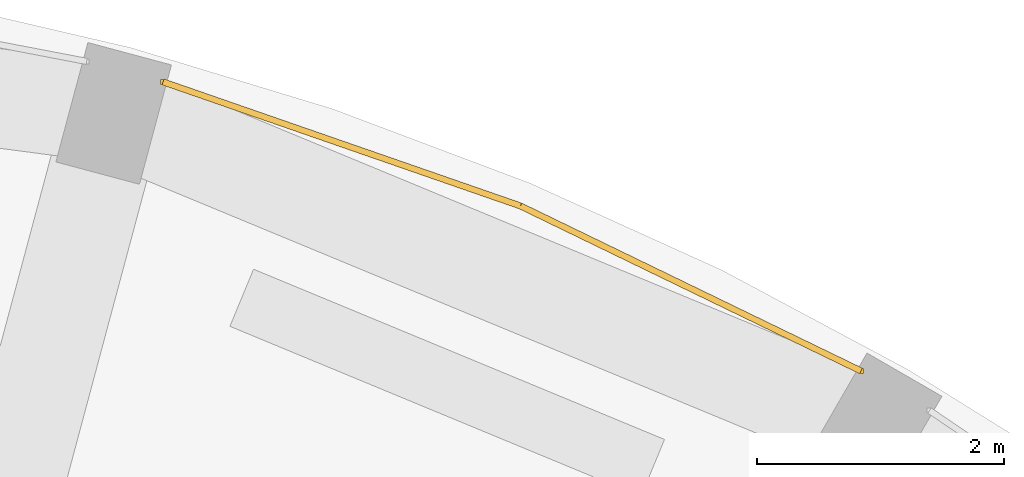
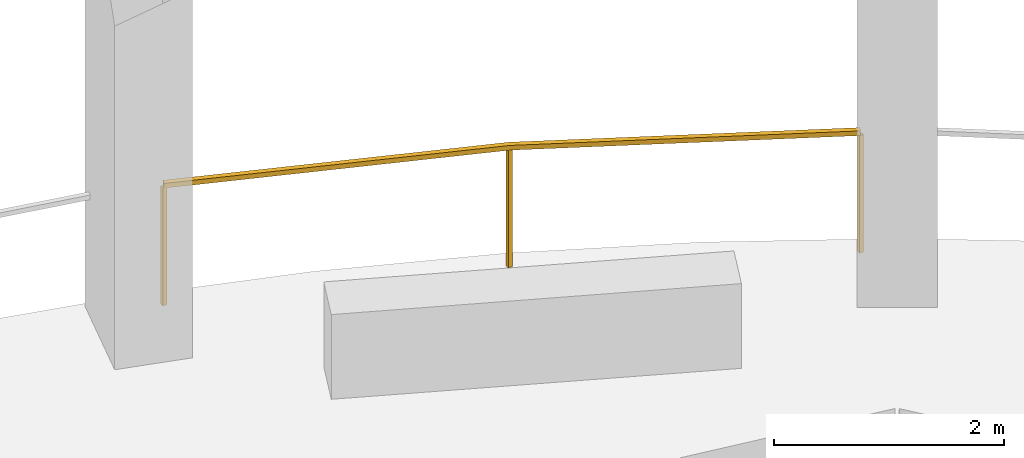
# One storey, part 8 of 8: 1 railing.
"""IFC4 building model written with IfcOpenShell, lengths in metres."""

from ifc_helpers import new_model, si_unit, direction, frame, origin, origin_2d, place, context, subcontext, project, spatial, rectangle, extrude, material, type_object, element, save


model = new_model("IFC4")

# Units and contexts
model_context = context("Model", 3, precision=1e-05, world=origin(), true_north=direction((0.0, 1.0)))
body_context = subcontext(model_context, "Body", "Model", "MODEL_VIEW")
ifc_project = project(units=[si_unit("LENGTHUNIT", "METRE"), si_unit("AREAUNIT", "SQUARE_METRE"), si_unit("VOLUMEUNIT", "CUBIC_METRE"), si_unit("PLANEANGLEUNIT", "RADIAN"), si_unit("MASSUNIT", "GRAM", prefix="KILO")], contexts=[model_context])

# Site, building, storey
site_placement = place(None, origin())
site = spatial("IfcSite", under=ifc_project, at=site_placement, CompositionType="ELEMENT")
building_placement = place(site_placement, origin())
building = spatial("IfcBuilding", under=site, at=building_placement, Name="Torre Triforio", CompositionType="ELEMENT")
storey_placement = place(building_placement, frame((0.0, 0.0, 94.60009765625)))
storey = spatial("IfcBuildingStorey", under=building, at=storey_placement, Name="L20", CompositionType="ELEMENT", Elevation=94.60009765625)

# Railing
ifc_material = material(Name="Stainless steel AISI 316", Category="steel")
railing_type = type_object("IfcRailingType", Name="Loggia guard 1300", PredefinedType="GUARDRAIL", material=ifc_material)
railing_placement = place(storey_placement, frame((12.64794921875, 22.546875, 0.0)))
element("IfcRailing", 1, at=railing_placement, inside=storey, type_object=railing_type, Name="Loggia guard L20 bay 05", PredefinedType="GUARDRAIL", context=body_context, shape_type="SweptSolid", body=[
    extrude(rectangle(XDim=0.050048828125, YDim=0.050048828125, at=origin_2d()), frame((0.0, 0.0, 1.27490234375), z_axis=(-0.899891864914, 0.436113094806, 0.0), x_axis=(-0.436113094806, -0.899891864914, 0.0)), (0.0, 0.0, 1.0), 3.062255859375),
    extrude(rectangle(XDim=0.050048828125, YDim=0.050048828125, at=origin_2d()), frame((-2.755615234375, 1.33544921875, 1.27490234375), z_axis=(-0.944704198295, 0.327923737665, 0.0), x_axis=(-0.327923737665, -0.944704198295, 0.0)), (0.0, 0.0, 1.0), 3.062255859375),
    extrude(rectangle(XDim=0.0400390625, YDim=0.0400390625, at=origin_2d()), origin(), (0.0, 0.0, 1.0), 1.25),
    extrude(rectangle(XDim=0.0400390625, YDim=0.0400390625, at=origin_2d()), frame((-2.755615234375, 1.33544921875, 0.0)), (0.0, 0.0, 1.0), 1.25),
    extrude(rectangle(XDim=0.0400390625, YDim=0.0400390625, at=origin_2d()), frame((-5.6484375, 2.339599609375, 0.0)), (0.0, 0.0, 1.0), 1.25),
])

save(model, "model.ifc")
